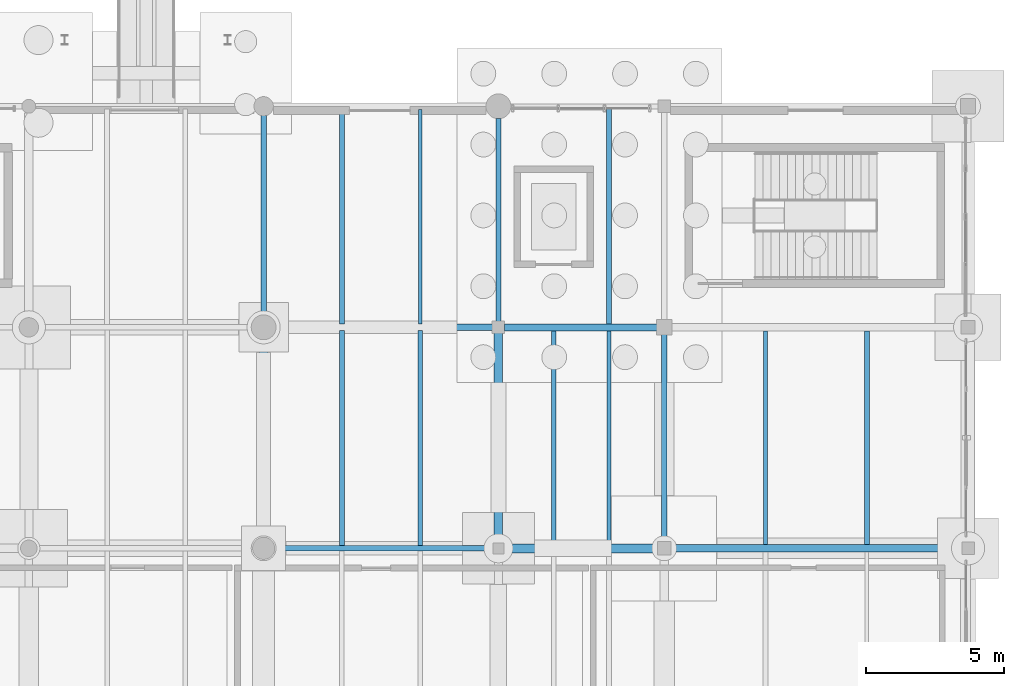
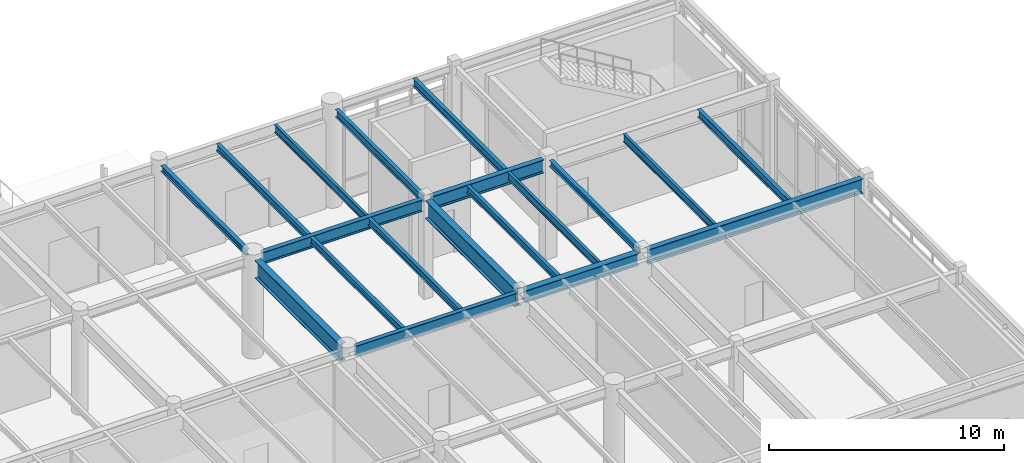
# One storey, part 135 of 203: 19 beams.
"""IFC4 building model written with IfcOpenShell, lengths in metres."""

from ifc_helpers import new_model, si_unit, direction, frame, origin, origin_2d, place, context, subcontext, project, spatial, i_section, extrude, material, material_profile, profile_set, type_object, element, save


model = new_model("IFC4")

# Units and contexts
model_context = context("Model", 3, precision=1e-05, world=origin(), true_north=direction((0.0, 1.0)))
body_context = subcontext(model_context, "Body", "Model", "MODEL_VIEW")
ifc_project = project(units=[si_unit("LENGTHUNIT", "METRE"), si_unit("AREAUNIT", "SQUARE_METRE"), si_unit("VOLUMEUNIT", "CUBIC_METRE"), si_unit("PLANEANGLEUNIT", "RADIAN"), si_unit("MASSUNIT", "GRAM", prefix="KILO"), si_unit("THERMODYNAMICTEMPERATUREUNIT", "KELVIN"), si_unit("POWERUNIT", "WATT")], contexts=[model_context])

# Site, building, storey
site_placement = place(None, origin())
site = spatial("IfcSite", under=ifc_project, at=site_placement, CompositionType="ELEMENT")
building_placement = place(site_placement, origin())
building = spatial("IfcBuilding", under=site, at=building_placement, Name="Tepalcoro Natatorium and Aquatics Centre", CompositionType="ELEMENT")
storey_placement = place(building_placement, origin())
storey = spatial("IfcBuildingStorey", under=building, at=storey_placement, Name="L00", CompositionType="ELEMENT", Elevation=0.0)

# Beams
ifc_material = material(Name="Steel ASTM A992 Grade 50 (Fy 345 MPa)", Category="steel")
ifc_material_profile_1 = material_profile(ifc_material, i_section(OverallWidth=0.202880859375, OverallDepth=0.304931640625, WebThickness=0.007080078125, FlangeThickness=0.012939453125, FilletRadius=0.013916015625, at=origin_2d()), Name="W12X40")
ifc_profile_set_1 = profile_set([ifc_material_profile_1], Name="Steel ASTM A992 Grade 50 (Fy 345 MPa)")
beam_type_1 = type_object("IfcBeamType", Name="BM_W12x40", PredefinedType="BEAM", material=ifc_profile_set_1)
beam_1_placement = place(storey_placement, frame((150.5, 110.43505859375, 4.972412109375), z_axis=(0.0, 1.0, 0.0), x_axis=(-1.0, 0.0, 0.0)))
element("IfcBeam", 1, at=beam_1_placement, inside=storey, type_object=beam_type_1, Name="V5 L00 Grid Girder Y", PredefinedType="BEAM", context=body_context, shape_type="SweptSolid", body=[
    extrude(i_section(OverallWidth=0.202880859375, OverallDepth=0.304931640625, WebThickness=0.007080078125, FlangeThickness=0.012939453125, FilletRadius=0.013916015625, at=origin_2d()), origin(), (0.0, 0.0, 1.0), 7.22998046875),
])
beam_2_placement = place(storey_placement, frame((165.0, 102.235107421875, 4.972412109375), z_axis=(0.0, 1.0, 0.0), x_axis=(-1.0, 0.0, 0.0)))
element("IfcBeam", 2, at=beam_2_placement, inside=storey, type_object=beam_type_1, Name="V5 L00 Grid Girder Y", PredefinedType="BEAM", context=body_context, shape_type="SweptSolid", body=[
    extrude(i_section(OverallWidth=0.202880859375, OverallDepth=0.304931640625, WebThickness=0.007080078125, FlangeThickness=0.012939453125, FilletRadius=0.013916015625, at=origin_2d()), origin(), (0.0, 0.0, 1.0), 7.5048828125),
])
ifc_material_profile_2 = material_profile(ifc_material, i_section(OverallWidth=0.177978515625, OverallDepth=0.406005859375, WebThickness=0.008056640625, FlangeThickness=0.012939453125, FilletRadius=0.013916015625, at=origin_2d()), Name="W16X40")
ifc_profile_set_2 = profile_set([ifc_material_profile_2], Name="Steel ASTM A992 Grade 50 (Fy 345 MPa)")
beam_type_2 = type_object("IfcBeamType", Name="BM_W16x40", PredefinedType="BEAM", material=ifc_profile_set_2)
beam_3_placement = place(storey_placement, frame((159.0, 110.2099609375, 4.922119140625), z_axis=(0.0, 1.0, 0.0), x_axis=(-1.0, 0.0, 0.0)))
element("IfcBeam", 3, at=beam_3_placement, inside=storey, type_object=beam_type_2, Name="V5 L00 Grid Girder Y", PredefinedType="BEAM", context=body_context, shape_type="SweptSolid", body=[
    extrude(i_section(OverallWidth=0.177978515625, OverallDepth=0.406005859375, WebThickness=0.008056640625, FlangeThickness=0.012939453125, FilletRadius=0.013916015625, at=origin_2d()), origin(), (0.0, 0.0, 1.0), 7.35498046875),
])
ifc_material_profile_3 = material_profile(ifc_material, i_section(OverallWidth=0.2119140625, OverallDepth=0.5439453125, WebThickness=0.012939453125, FlangeThickness=0.02099609375, FilletRadius=0.013916015625, at=origin_2d()), Name="W21X83")
ifc_profile_set_3 = profile_set([ifc_material_profile_3], Name="Steel ASTM A992 Grade 50 (Fy 345 MPa)")
beam_type_3 = type_object("IfcBeamType", Name="BM_W21x83", PredefinedType="BEAM", material=ifc_profile_set_3)
beam_4_placement = place(storey_placement, frame((150.885009765625, 102.0, 4.85302734375), z_axis=(1.0, 0.0, 0.0), x_axis=(0.0, 1.0, 0.0)))
element("IfcBeam", 4, at=beam_4_placement, inside=storey, type_object=beam_type_3, Name="V5 L00 Grid Girder X", PredefinedType="BEAM", context=body_context, shape_type="SweptSolid", body=[
    extrude(i_section(OverallWidth=0.2119140625, OverallDepth=0.5439453125, WebThickness=0.012939453125, FlangeThickness=0.02099609375, FilletRadius=0.013916015625, at=origin_2d()), origin(), (0.0, 0.0, 1.0), 7.929931640625),
])
ifc_material_profile_4 = material_profile(ifc_material, i_section(OverallWidth=0.324951171875, OverallDepth=0.616943359375, WebThickness=0.013916015625, FlangeThickness=0.02197265625, FilletRadius=0.013916015625, at=origin_2d()), Name="W24X117")
ifc_profile_set_4 = profile_set([ifc_material_profile_4], Name="Steel ASTM A992 Grade 50 (Fy 345 MPa)")
beam_type_4 = type_object("IfcBeamType", Name="BM_W24x117", PredefinedType="BEAM", material=ifc_profile_set_4)
beam_5_placement = place(storey_placement, frame((159.18505859375, 102.0, 4.81640625), z_axis=(1.0, 0.0, 0.0), x_axis=(0.0, 1.0, 0.0)))
element("IfcBeam", 5, at=beam_5_placement, inside=storey, type_object=beam_type_4, Name="V5 L00 Grid Girder X", PredefinedType="BEAM", context=body_context, shape_type="SweptSolid", body=[
    extrude(i_section(OverallWidth=0.324951171875, OverallDepth=0.616943359375, WebThickness=0.013916015625, FlangeThickness=0.02197265625, FilletRadius=0.013916015625, at=origin_2d()), origin(), (0.0, 0.0, 1.0), 5.579833984375),
])
ifc_material_profile_5 = material_profile(ifc_material, i_section(OverallWidth=0.22802734375, OverallDepth=0.60693359375, WebThickness=0.010986328125, FlangeThickness=0.01708984375, FilletRadius=0.013916015625, at=origin_2d()), Name="W24X76")
ifc_profile_set_5 = profile_set([ifc_material_profile_5], Name="Steel ASTM A992 Grade 50 (Fy 345 MPa)")
beam_type_5 = type_object("IfcBeamType", Name="BM_W24x76", PredefinedType="BEAM", material=ifc_profile_set_5)
beam_6_placement = place(storey_placement, frame((150.93505859375, 110.0, 4.821533203125), z_axis=(1.0, 0.0, 0.0), x_axis=(0.0, 1.0, 0.0)))
element("IfcBeam", 6, at=beam_6_placement, inside=storey, type_object=beam_type_5, Name="V5 L00 Grid Girder X", PredefinedType="BEAM", context=body_context, shape_type="SweptSolid", body=[
    extrude(i_section(OverallWidth=0.22802734375, OverallDepth=0.60693359375, WebThickness=0.010986328125, FlangeThickness=0.01708984375, FilletRadius=0.013916015625, at=origin_2d()), origin(), (0.0, 0.0, 1.0), 7.85498046875),
])
ifc_material_profile_6 = material_profile(ifc_material, i_section(OverallWidth=0.25390625, OverallDepth=0.68798828125, WebThickness=0.012939453125, FlangeThickness=0.02099609375, FilletRadius=0.013916015625, at=origin_2d()), Name="W27X102")
ifc_profile_set_6 = profile_set([ifc_material_profile_6], Name="Steel ASTM A992 Grade 50 (Fy 345 MPa)")
beam_type_6 = type_object("IfcBeamType", Name="BM_W27x102", PredefinedType="BEAM", material=ifc_profile_set_6)
beam_7_placement = place(storey_placement, frame((159.2099609375, 110.0, 4.781005859375), z_axis=(1.0, 0.0, 0.0), x_axis=(0.0, 1.0, 0.0)))
element("IfcBeam", 7, at=beam_7_placement, inside=storey, type_object=beam_type_6, Name="V5 L00 Grid Girder X", PredefinedType="BEAM", context=body_context, shape_type="SweptSolid", body=[
    extrude(i_section(OverallWidth=0.25390625, OverallDepth=0.68798828125, WebThickness=0.012939453125, FlangeThickness=0.02099609375, FilletRadius=0.013916015625, at=origin_2d()), origin(), (0.0, 0.0, 1.0), 5.530029296875),
])
ifc_material_profile_7 = material_profile(ifc_material, i_section(OverallWidth=0.26708984375, OverallDepth=0.761962890625, WebThickness=0.013916015625, FlangeThickness=0.02197265625, FilletRadius=0.013916015625, at=origin_2d()), Name="W30X116")
ifc_profile_set_7 = profile_set([ifc_material_profile_7], Name="Steel ASTM A992 Grade 50 (Fy 345 MPa)")
beam_type_7 = type_object("IfcBeamType", Name="BM_W30x116", PredefinedType="BEAM", material=ifc_profile_set_7)
beam_8_placement = place(storey_placement, frame((165.235107421875, 102.0, 4.743896484375), z_axis=(1.0, 0.0, 0.0), x_axis=(0.0, 1.0, 0.0)))
element("IfcBeam", 8, at=beam_8_placement, inside=storey, type_object=beam_type_7, Name="V5 L00 Grid Girder X", PredefinedType="BEAM", context=body_context, shape_type="SweptSolid", body=[
    extrude(i_section(OverallWidth=0.26708984375, OverallDepth=0.761962890625, WebThickness=0.013916015625, FlangeThickness=0.02197265625, FilletRadius=0.013916015625, at=origin_2d()), origin(), (0.0, 0.0, 1.0), 10.554931640625),
])
ifc_material_profile_8 = material_profile(ifc_material, i_section(OverallWidth=0.304931640625, OverallDepth=0.9189453125, WebThickness=0.01708984375, FlangeThickness=0.028076171875, FilletRadius=0.013916015625, at=origin_2d()), Name="W36X170")
ifc_profile_set_8 = profile_set([ifc_material_profile_8], Name="Steel ASTM A992 Grade 50 (Fy 345 MPa)")
beam_type_8 = type_object("IfcBeamType", Name="BM_W36x170", PredefinedType="BEAM", material=ifc_profile_set_8)
beam_9_placement = place(storey_placement, frame((150.5, 102.385009765625, 4.66552734375), z_axis=(0.0, 1.0, 0.0), x_axis=(-1.0, 0.0, 0.0)))
element("IfcBeam", 9, at=beam_9_placement, inside=storey, type_object=beam_type_8, Name="V5 L00 Grid Girder Y", PredefinedType="BEAM", context=body_context, shape_type="SweptSolid", body=[
    extrude(i_section(OverallWidth=0.304931640625, OverallDepth=0.9189453125, WebThickness=0.01708984375, FlangeThickness=0.028076171875, FilletRadius=0.013916015625, at=origin_2d()), origin(), (0.0, 0.0, 1.0), 7.179931640625),
])
ifc_material_profile_9 = material_profile(ifc_material, i_section(OverallWidth=0.31005859375, OverallDepth=0.931884765625, WebThickness=0.02099609375, FlangeThickness=0.034912109375, FilletRadius=0.013916015625, at=origin_2d()), Name="W36X210")
ifc_profile_set_9 = profile_set([ifc_material_profile_9], Name="Steel ASTM A992 Grade 50 (Fy 345 MPa)")
beam_type_9 = type_object("IfcBeamType", Name="BM_W36x210", PredefinedType="BEAM", material=ifc_profile_set_9)
beam_10_placement = place(storey_placement, frame((159.0, 102.18505859375, 4.658935546875), z_axis=(0.0, 1.0, 0.0), x_axis=(-1.0, 0.0, 0.0)))
element("IfcBeam", 10, at=beam_10_placement, inside=storey, type_object=beam_type_9, Name="V5 L00 Grid Girder Y", PredefinedType="BEAM", context=body_context, shape_type="SweptSolid", body=[
    extrude(i_section(OverallWidth=0.31005859375, OverallDepth=0.931884765625, WebThickness=0.02099609375, FlangeThickness=0.034912109375, FilletRadius=0.013916015625, at=origin_2d()), origin(), (0.0, 0.0, 1.0), 7.60498046875),
])
ifc_material_profile_10 = material_profile(ifc_material, i_section(OverallWidth=0.1708984375, OverallDepth=0.35107421875, WebThickness=0.007080078125, FlangeThickness=0.010009765625, FilletRadius=0.013916015625, at=origin_2d()), Name="W14X30")
ifc_profile_set_10 = profile_set([ifc_material_profile_10], Name="Steel ASTM A992 Grade 50 (Fy 345 MPa)")
beam_type_10 = type_object("IfcBeamType", Name="JS_W14x30", PredefinedType="JOIST", material=ifc_profile_set_10)
beam_11_placement = place(storey_placement, frame((153.333251953125, 102.10595703125, 4.949462890625), z_axis=(0.0, 1.0, 0.0), x_axis=(-1.0, 0.0, 0.0)))
element("IfcBeam", 11, at=beam_11_placement, inside=storey, type_object=beam_type_10, Name="V5 L00 Floor Joist", PredefinedType="JOIST", context=body_context, shape_type="SweptSolid", body=[
    extrude(i_section(OverallWidth=0.1708984375, OverallDepth=0.35107421875, WebThickness=0.007080078125, FlangeThickness=0.010009765625, FilletRadius=0.013916015625, at=origin_2d()), origin(), (0.0, 0.0, 1.0), 7.780029296875),
])
ifc_material_profile_11 = material_profile(ifc_material, i_section(OverallWidth=0.172119140625, OverallDepth=0.35791015625, WebThickness=0.008056640625, FlangeThickness=0.012939453125, FilletRadius=0.013916015625, at=origin_2d()), Name="W14X38")
ifc_profile_set_11 = profile_set([ifc_material_profile_11], Name="Steel ASTM A992 Grade 50 (Fy 345 MPa)")
beam_type_11 = type_object("IfcBeamType", Name="JS_W14x38", PredefinedType="JOIST", material=ifc_profile_set_11)
beam_12_placement = place(storey_placement, frame((156.166748046875, 102.10595703125, 4.946044921875), z_axis=(0.0, 1.0, 0.0), x_axis=(-1.0, 0.0, 0.0)))
element("IfcBeam", 12, at=beam_12_placement, inside=storey, type_object=beam_type_11, Name="V5 L00 Floor Joist", PredefinedType="JOIST", context=body_context, shape_type="SweptSolid", body=[
    extrude(i_section(OverallWidth=0.172119140625, OverallDepth=0.35791015625, WebThickness=0.008056640625, FlangeThickness=0.012939453125, FilletRadius=0.013916015625, at=origin_2d()), origin(), (0.0, 0.0, 1.0), 7.780029296875),
])
beam_13_placement = place(storey_placement, frame((153.333251953125, 110.114013671875, 4.946044921875), z_axis=(0.0, 1.0, 0.0), x_axis=(-1.0, 0.0, 0.0)))
element("IfcBeam", 13, at=beam_13_placement, inside=storey, type_object=beam_type_11, Name="V5 L00 Floor Joist", PredefinedType="JOIST", context=body_context, shape_type="SweptSolid", body=[
    extrude(i_section(OverallWidth=0.172119140625, OverallDepth=0.35791015625, WebThickness=0.008056640625, FlangeThickness=0.012939453125, FilletRadius=0.013916015625, at=origin_2d()), origin(), (0.0, 0.0, 1.0), 7.771484375),
])
beam_14_placement = place(storey_placement, frame((161.0, 102.16259765625, 4.946044921875), z_axis=(0.0, 1.0, 0.0), x_axis=(-1.0, 0.0, 0.0)))
element("IfcBeam", 14, at=beam_14_placement, inside=storey, type_object=beam_type_11, Name="V5 L00 Floor Joist", PredefinedType="JOIST", context=body_context, shape_type="SweptSolid", body=[
    extrude(i_section(OverallWidth=0.172119140625, OverallDepth=0.35791015625, WebThickness=0.008056640625, FlangeThickness=0.012939453125, FilletRadius=0.013916015625, at=origin_2d()), origin(), (0.0, 0.0, 1.0), 7.71044921875),
])
ifc_material_profile_12 = material_profile(ifc_material, i_section(OverallWidth=0.139892578125, OverallDepth=0.404052734375, WebThickness=0.007080078125, FlangeThickness=0.010986328125, FilletRadius=0.013916015625, at=origin_2d()), Name="W16X31")
ifc_profile_set_12 = profile_set([ifc_material_profile_12], Name="Steel ASTM A992 Grade 50 (Fy 345 MPa)")
beam_type_12 = type_object("IfcBeamType", Name="JS_W16x31", PredefinedType="JOIST", material=ifc_profile_set_12)
beam_15_placement = place(storey_placement, frame((156.166748046875, 110.114013671875, 4.923095703125), z_axis=(0.0, 1.0, 0.0), x_axis=(-1.0, 0.0, 0.0)))
element("IfcBeam", 15, at=beam_15_placement, inside=storey, type_object=beam_type_12, Name="V5 L00 Floor Joist", PredefinedType="JOIST", context=body_context, shape_type="SweptSolid", body=[
    extrude(i_section(OverallWidth=0.139892578125, OverallDepth=0.404052734375, WebThickness=0.007080078125, FlangeThickness=0.010986328125, FilletRadius=0.013916015625, at=origin_2d()), origin(), (0.0, 0.0, 1.0), 7.771484375),
])
beam_16_placement = place(storey_placement, frame((163.0, 102.16259765625, 4.923095703125), z_axis=(0.0, 1.0, 0.0), x_axis=(-1.0, 0.0, 0.0)))
element("IfcBeam", 16, at=beam_16_placement, inside=storey, type_object=beam_type_12, Name="V5 L00 Floor Joist", PredefinedType="JOIST", context=body_context, shape_type="SweptSolid", body=[
    extrude(i_section(OverallWidth=0.139892578125, OverallDepth=0.404052734375, WebThickness=0.007080078125, FlangeThickness=0.010986328125, FilletRadius=0.013916015625, at=origin_2d()), origin(), (0.0, 0.0, 1.0), 7.71044921875),
])
beam_17_placement = place(storey_placement, frame((168.666748046875, 102.133544921875, 4.923095703125), z_axis=(0.0, 1.0, 0.0), x_axis=(-1.0, 0.0, 0.0)))
element("IfcBeam", 17, at=beam_17_placement, inside=storey, type_object=beam_type_12, Name="V5 L00 Floor Joist", PredefinedType="JOIST", context=body_context, shape_type="SweptSolid", body=[
    extrude(i_section(OverallWidth=0.139892578125, OverallDepth=0.404052734375, WebThickness=0.007080078125, FlangeThickness=0.010986328125, FilletRadius=0.013916015625, at=origin_2d()), origin(), (0.0, 0.0, 1.0), 7.73291015625),
])
ifc_material_profile_13 = material_profile(ifc_material, i_section(OverallWidth=0.178955078125, OverallDepth=0.409912109375, WebThickness=0.009033203125, FlangeThickness=0.013916015625, FilletRadius=0.013916015625, at=origin_2d()), Name="W16X45")
ifc_profile_set_13 = profile_set([ifc_material_profile_13], Name="Steel ASTM A992 Grade 50 (Fy 345 MPa)")
beam_type_13 = type_object("IfcBeamType", Name="JS_W16x45", PredefinedType="JOIST", material=ifc_profile_set_13)
beam_18_placement = place(storey_placement, frame((163.0, 110.126953125, 4.919921875), z_axis=(0.0, 1.0, 0.0), x_axis=(-1.0, 0.0, 0.0)))
element("IfcBeam", 18, at=beam_18_placement, inside=storey, type_object=beam_type_13, Name="V5 L00 Floor Joist", PredefinedType="JOIST", context=body_context, shape_type="SweptSolid", body=[
    extrude(i_section(OverallWidth=0.178955078125, OverallDepth=0.409912109375, WebThickness=0.009033203125, FlangeThickness=0.013916015625, FilletRadius=0.013916015625, at=origin_2d()), origin(), (0.0, 0.0, 1.0), 7.782958984375),
])
beam_19_placement = place(storey_placement, frame((172.333251953125, 102.133544921875, 4.919921875), z_axis=(0.0, 1.0, 0.0), x_axis=(-1.0, 0.0, 0.0)))
element("IfcBeam", 19, at=beam_19_placement, inside=storey, type_object=beam_type_13, Name="V5 L00 Floor Joist", PredefinedType="JOIST", context=body_context, shape_type="SweptSolid", body=[
    extrude(i_section(OverallWidth=0.178955078125, OverallDepth=0.409912109375, WebThickness=0.009033203125, FlangeThickness=0.013916015625, FilletRadius=0.013916015625, at=origin_2d()), origin(), (0.0, 0.0, 1.0), 7.73291015625),
])

save(model, "model.ifc")
